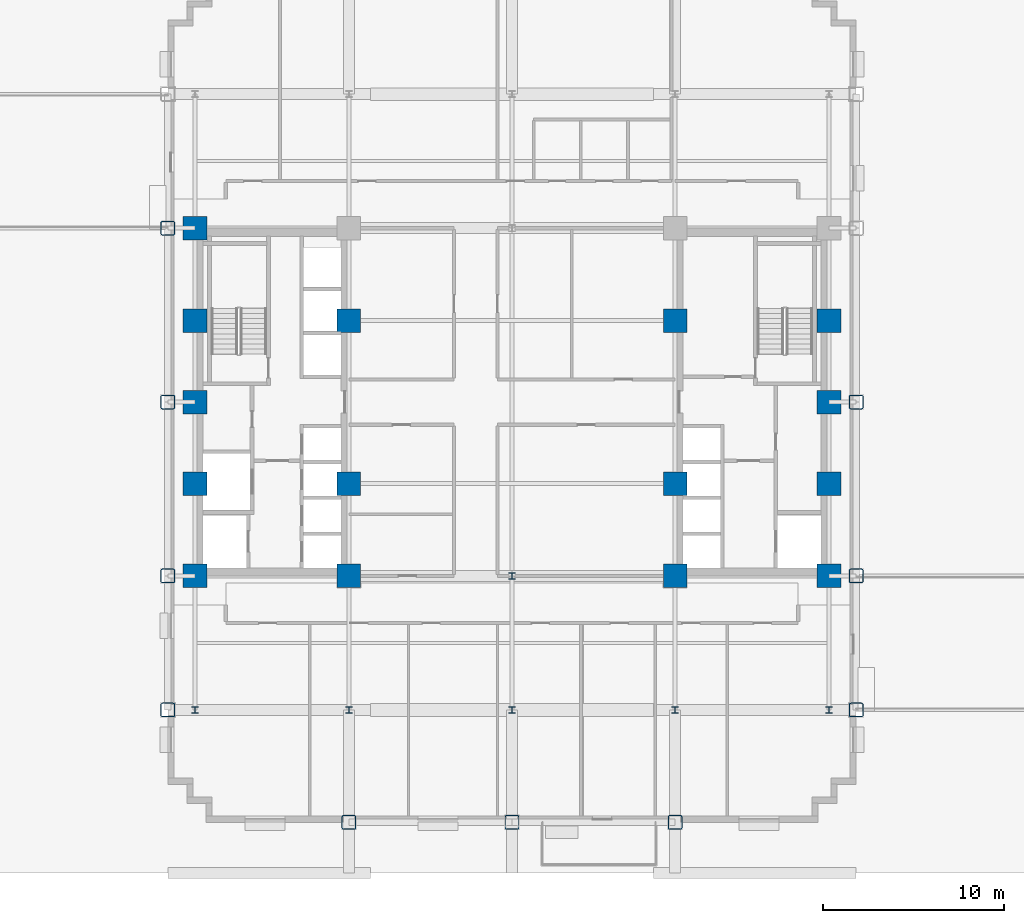
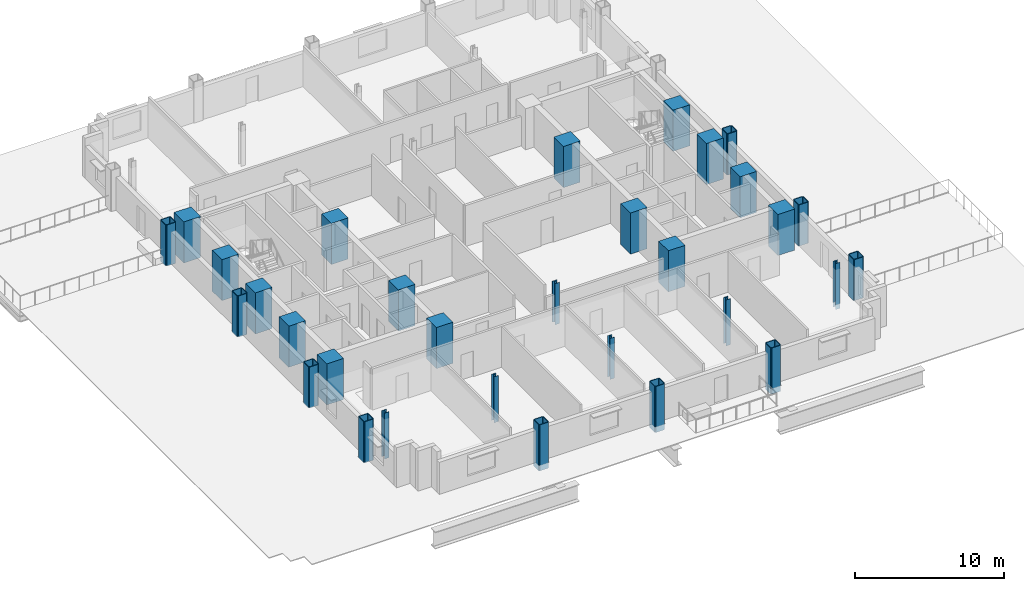
# One storey, part 1 of 13: 31 columns.
"""IFC4 building model written with IfcOpenShell, lengths in metres."""

from ifc_helpers import new_model, si_unit, direction, frame, origin, origin_2d, place, context, subcontext, project, spatial, rectangle, hollow_rectangle, i_section, extrude, material, material_profile, profile_set, type_object, element, save


model = new_model("IFC4")

# Units and contexts
model_context = context("Model", 3, precision=1e-05, world=origin(), true_north=direction((0.0, 1.0)))
body_context = subcontext(model_context, "Body", "Model", "MODEL_VIEW")
ifc_project = project(units=[si_unit("LENGTHUNIT", "METRE"), si_unit("AREAUNIT", "SQUARE_METRE"), si_unit("VOLUMEUNIT", "CUBIC_METRE"), si_unit("PLANEANGLEUNIT", "RADIAN"), si_unit("MASSUNIT", "GRAM", prefix="KILO")], contexts=[model_context])

# Site, building, storey
site_placement = place(None, origin())
site = spatial("IfcSite", under=ifc_project, at=site_placement, CompositionType="ELEMENT")
building_placement = place(site_placement, origin())
building = spatial("IfcBuilding", under=site, at=building_placement, Name="Nuvemarco Arch Tower", CompositionType="ELEMENT")
storey_placement = place(building_placement, frame((0.0, 0.0, 27.60009765625)))
storey = spatial("IfcBuildingStorey", under=building, at=storey_placement, Name="L06", CompositionType="ELEMENT", Elevation=27.60009765625)

# Columns
ifc_material_1 = material(Name="Concrete C60/75", Category="concrete")
ifc_material_profile_1 = material_profile(ifc_material_1, rectangle(XDim=1.300048828125, YDim=1.300048828125, at=origin_2d()), Name="RC-COL-1300x1300")
ifc_profile_set_1 = profile_set([ifc_material_profile_1], Name="Concrete C60/75")
column_type_1 = type_object("IfcColumnType", Name="COL-CORE-1300", PredefinedType="COLUMN", material=ifc_profile_set_1)
for number, where, z_axis, x_axis, name in (
    (1, (-17.5, -9.60009765625, 0.0), (0.0, 0.0, 1.0), (1.0, 0.0, 0.0), "L06 column CC_-17.5_-9.6"),
    (2, (-17.5, -4.5, 0.0), (0.0, 0.0, 1.0), (1.0, 0.0, 0.0), "L06 column CC_-17.5_-4.5"),
    (3, (-17.5, 4.5, 0.0), (0.0, 0.0, 1.0), (1.0, 0.0, 0.0), "L06 column CC_-17.5_+4.5"),
    (4, (-17.5, 9.60009765625, 0.0), (0.0, 0.0, 1.0), (1.0, 0.0, 0.0), "L06 column CC_-17.5_+9.6"),
    (5, (-9.0, -9.60009765625, 0.0), (0.0, 0.0, 1.0), (1.0, 0.0, 0.0), "L06 column CC_-9.0_-9.6"),
    (6, (-9.0, -4.5, 0.0), (0.0, 0.0, 1.0), (1.0, 0.0, 0.0), "L06 column CC_-9.0_-4.5"),
    (7, (-9.0, 4.5, 0.0), (0.0, 0.0, 1.0), (1.0, 0.0, 0.0), "L06 column CC_-9.0_+4.5"),
    (8, (9.0, -9.60009765625, 0.0), (0.0, 0.0, 1.0), (1.0, 0.0, 0.0), "L06 column CC_+9.0_-9.6"),
    (9, (9.0, -4.5, 0.0), (0.0, 0.0, 1.0), (1.0, 0.0, 0.0), "L06 column CC_+9.0_-4.5"),
    (10, (9.0, 4.5, 0.0), (0.0, 0.0, 1.0), (1.0, 0.0, 0.0), "L06 column CC_+9.0_+4.5"),
    (11, (17.5, -9.60009765625, 0.0), (0.0, 0.0, 1.0), (1.0, 0.0, 0.0), "L06 column CC_+17.5_-9.6"),
    (12, (17.5, -4.5, 0.0), (0.0, 0.0, 1.0), (1.0, 0.0, 0.0), "L06 column CC_+17.5_-4.5"),
    (13, (17.5, 4.5, 0.0), (0.0, 0.0, 1.0), (1.0, 0.0, 0.0), "L06 column CC_+17.5_+4.5"),
    (14, (-17.5, 0.0, 0.0), (0.0, 0.0, 1.0), (1.0, 0.0, 0.0), "L06 column CC_-17.5_+0.0"),
    (15, (17.5, 0.0, 0.0), (0.0, 0.0, 1.0), (1.0, 0.0, 0.0), "L06 column CC_+17.5_+0.0"),
):
    element("IfcColumn", number, at=place(storey_placement, frame(where, z_axis=z_axis, x_axis=x_axis)), inside=storey, type_object=column_type_1, Name=name, PredefinedType="COLUMN", context=body_context, shape_type="SweptSolid", body=[
        extrude(rectangle(XDim=1.300048828125, YDim=1.300048828125, at=origin_2d()), origin(), (0.0, 0.0, 1.0), 3.369873046875),
    ])
ifc_material_2 = material(Name="Steel S460", Category="steel")
ifc_material_profile_2 = material_profile(ifc_material_2, hollow_rectangle(XDim=0.800048828125, YDim=0.800048828125, WallThickness=0.054931640625, InnerFilletRadius=0.054931640625, OuterFilletRadius=0.110107421875, at=origin_2d()), Name="SHS800x800x55")
ifc_profile_set_2 = profile_set([ifc_material_profile_2], Name="Steel S460")
column_type_2 = type_object("IfcColumnType", Name="COL-EXO-800", PredefinedType="COLUMN", material=ifc_profile_set_2)
for number, where, z_axis, x_axis, name in (
    (16, (-19.0, -17.0, 0.0), (0.0, 0.0, 1.0), (1.0, 0.0, 0.0), "L06 column CX_-19.0_-17.0"),
    (17, (-19.0, -9.60009765625, 0.0), (0.0, 0.0, 1.0), (1.0, 0.0, 0.0), "L06 column CX_-19.0_-9.6"),
    (18, (-19.0, 0.0, 0.0), (0.0, 0.0, 1.0), (1.0, 0.0, 0.0), "L06 column CX_-19.0_+0.0"),
    (19, (-19.0, 9.60009765625, 0.0), (0.0, 0.0, 1.0), (1.0, 0.0, 0.0), "L06 column CX_-19.0_+9.6"),
    (20, (19.0, -17.0, 0.0), (0.0, 0.0, 1.0), (1.0, 0.0, 0.0), "L06 column CX_+19.0_-17.0"),
    (21, (19.0, -9.60009765625, 0.0), (0.0, 0.0, 1.0), (1.0, 0.0, 0.0), "L06 column CX_+19.0_-9.6"),
    (22, (19.0, 0.0, 0.0), (0.0, 0.0, 1.0), (1.0, 0.0, 0.0), "L06 column CX_+19.0_+0.0"),
):
    element("IfcColumn", number, at=place(storey_placement, frame(where, z_axis=z_axis, x_axis=x_axis)), inside=storey, type_object=column_type_2, Name=name, PredefinedType="COLUMN", context=body_context, shape_type="SweptSolid", body=[
        extrude(hollow_rectangle(XDim=0.800048828125, YDim=0.800048828125, WallThickness=0.054931640625, InnerFilletRadius=0.054931640625, OuterFilletRadius=0.110107421875, at=origin_2d()), origin(), (0.0, 0.0, 1.0), 3.369873046875),
    ])
for number, where, z_axis, x_axis, name in (
    (23, (-9.0, -23.199951171875, -0.400146484375), (0.0, 0.0, 1.0), (1.0, 0.0, 0.0), "L06 column CY_-9.0_-23.2"),
    (24, (0.0, -23.199951171875, -0.400146484375), (0.0, 0.0, 1.0), (1.0, 0.0, 0.0), "L06 column CY_+0.0_-23.2"),
    (25, (9.0, -23.199951171875, -0.400146484375), (0.0, 0.0, 1.0), (1.0, 0.0, 0.0), "L06 column CY_+9.0_-23.2"),
):
    element("IfcColumn", number, at=place(storey_placement, frame(where, z_axis=z_axis, x_axis=x_axis)), inside=storey, type_object=column_type_2, Name=name, PredefinedType="COLUMN", context=body_context, shape_type="SweptSolid", body=[
        extrude(hollow_rectangle(XDim=0.800048828125, YDim=0.800048828125, WallThickness=0.054931640625, InnerFilletRadius=0.054931640625, OuterFilletRadius=0.110107421875, at=origin_2d()), origin(), (0.0, 0.0, 1.0), 3.77001953125),
    ])
ifc_material_3 = material(Name="Steel S355", Category="steel")
ifc_material_profile_3 = material_profile(ifc_material_3, i_section(OverallWidth=0.360107421875, OverallDepth=0.360107421875, WebThickness=0.0205078125, FlangeThickness=0.0205078125, FilletRadius=0.01806640625, at=origin_2d()), Name="HP360x174")
ifc_profile_set_3 = profile_set([ifc_material_profile_3], Name="Steel S355")
column_type_3 = type_object("IfcColumnType", Name="COL-STL-HP360", PredefinedType="COLUMN", material=ifc_profile_set_3)
for number, where, z_axis, x_axis, name in (
    (26, (0.0, -17.0, 0.0), (0.0, 0.0, 1.0), (1.0, 0.0, 0.0), "L06 column CI_+0.0_-17.0"),
    (27, (0.0, -9.60009765625, 0.0), (0.0, 0.0, 1.0), (1.0, 0.0, 0.0), "L06 column CI_+0.0_-9.6"),
):
    element("IfcColumn", number, at=place(storey_placement, frame(where, z_axis=z_axis, x_axis=x_axis)), inside=storey, type_object=column_type_3, Name=name, PredefinedType="COLUMN", context=body_context, shape_type="SweptSolid", body=[
        extrude(i_section(OverallWidth=0.360107421875, OverallDepth=0.360107421875, WebThickness=0.0205078125, FlangeThickness=0.0205078125, FilletRadius=0.01806640625, at=origin_2d()), origin(), (0.0, 0.0, 1.0), 3.369873046875),
    ])
for number, where, z_axis, x_axis, name in (
    (28, (-17.5, -17.0, -0.400146484375), (0.0, 0.0, 1.0), (1.0, 0.0, 0.0), "L06 column CI_-17.5_-17.0"),
    (29, (-9.0, -17.0, -0.400146484375), (0.0, 0.0, 1.0), (1.0, 0.0, 0.0), "L06 column CI_-9.0_-17.0"),
    (30, (9.0, -17.0, -0.400146484375), (0.0, 0.0, 1.0), (1.0, 0.0, 0.0), "L06 column CI_+9.0_-17.0"),
    (31, (17.5, -17.0, -0.400146484375), (0.0, 0.0, 1.0), (1.0, 0.0, 0.0), "L06 column CI_+17.5_-17.0"),
):
    element("IfcColumn", number, at=place(storey_placement, frame(where, z_axis=z_axis, x_axis=x_axis)), inside=storey, type_object=column_type_3, Name=name, PredefinedType="COLUMN", context=body_context, shape_type="SweptSolid", body=[
        extrude(i_section(OverallWidth=0.360107421875, OverallDepth=0.360107421875, WebThickness=0.0205078125, FlangeThickness=0.0205078125, FilletRadius=0.01806640625, at=origin_2d()), origin(), (0.0, 0.0, 1.0), 3.77001953125),
    ])

save(model, "model.ifc")
